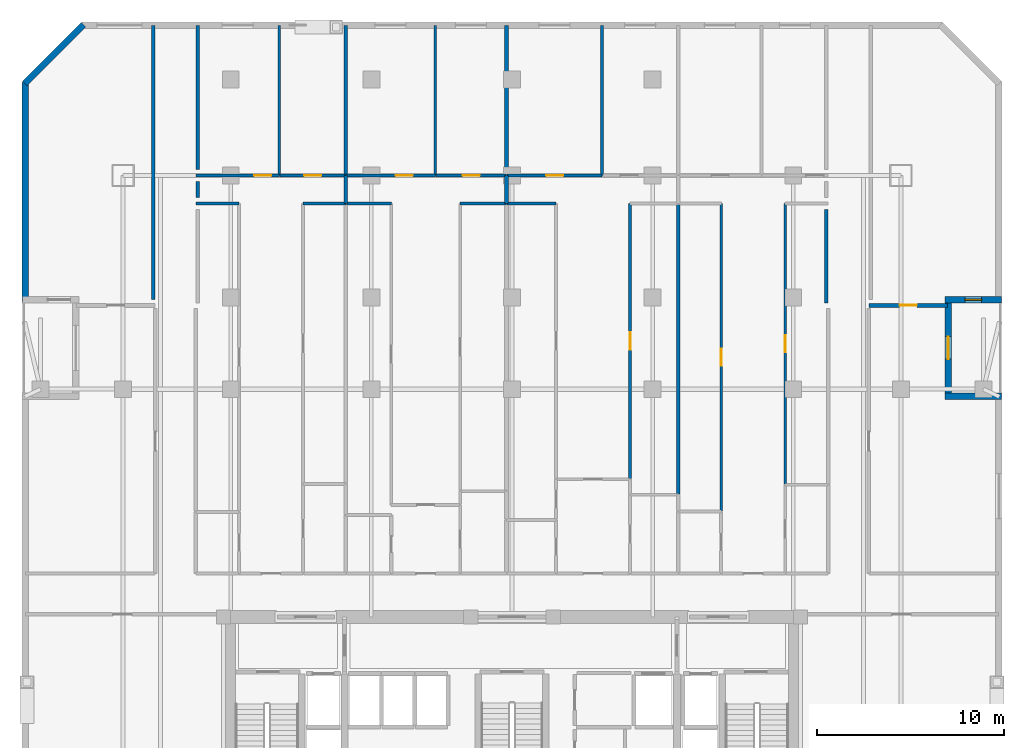
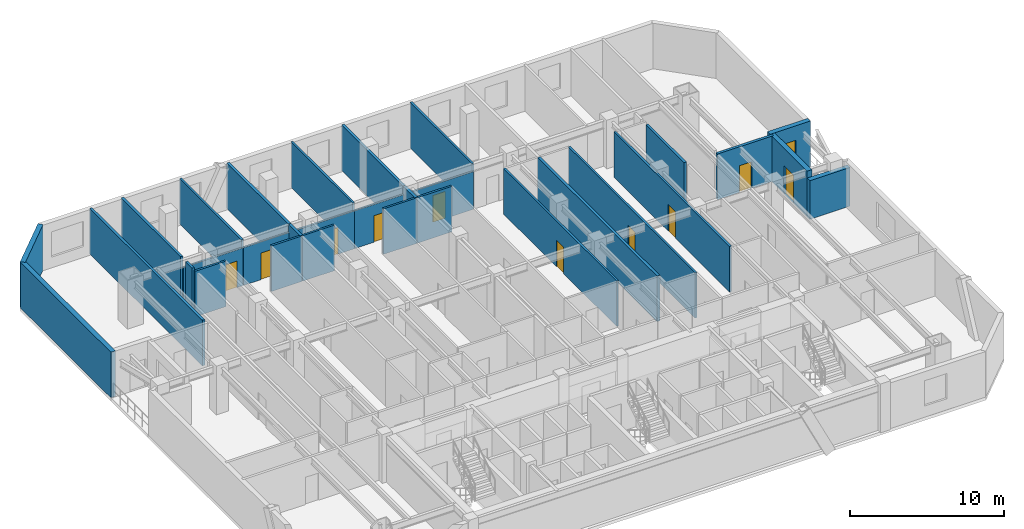
# One storey, part 6 of 9: 31 walls, 10 doors, 1 window, 11 openings.
"""IFC4 building model written with IfcOpenShell, lengths in metres."""

import ifcopenshell
import ifcopenshell.guid

model = None  # the IFC model being written
_history = None  # IfcOwnerHistory: only IFC2X3 demands one
_inside = {}  # id of a spatial element -> (the spatial element, [elements in it])
_under = {}  # id of a project, library or spatial element -> (it, [spatial elements below it])
_declared = {}  # id of a project -> (the project, [libraries it declares])
_typed = {}  # id of a type object -> (the type object, [elements of that type])
_made_of = {}  # id of a material, layer set ... -> (it, [elements and type objects made of it])


def new_model(schema):
    """Start an empty IFC model of exactly this schema.

    Asked for "IFC4X3", IfcOpenShell would pick the latest addendum, in which some entities
    have other attributes; the version numbers below select the first issue.
    IFC2X3 requires an IfcOwnerHistory on every rooted entity: one is made here for all.
    """
    global model, _history
    if schema == "IFC4X3":
        model = ifcopenshell.file(schema_version=(4, 3, 0, 0))
    else:
        model = ifcopenshell.file(schema=schema)
    _inside.clear()
    _under.clear()
    _declared.clear()
    _typed.clear()
    _made_of.clear()
    _history = None
    if model.schema == "IFC2X3":
        org = make("IfcOrganization", Name="unknown")
        user = make(
            "IfcPersonAndOrganization",
            ThePerson=make("IfcPerson", FamilyName="unknown"),
            TheOrganization=org,
        )
        app = make(
            "IfcApplication",
            ApplicationDeveloper=org,
            Version="unknown",
            ApplicationFullName="unknown",
            ApplicationIdentifier="unknown",
        )
        _history = make(
            "IfcOwnerHistory",
            OwningUser=user,
            OwningApplication=app,
            ChangeAction="ADDED",
            CreationDate=0,
        )
    return model


def make(cls, **values):
    """One entity of the class cls with the attributes given. An attribute that is None is left unset."""
    return model.create_entity(
        cls, **{name: value for name, value in values.items() if value is not None}
    )


def rooted(cls, **values):
    """An entity with a GlobalId (a new one), such as an element, a storey or a relation."""
    return make(cls, GlobalId=ifcopenshell.guid.new(), OwnerHistory=_history, **values)


def si_unit(unit_type, name, prefix=None):
    """IfcSIUnit, for example si_unit("LENGTHUNIT", "METRE", prefix="MILLI")."""
    return make("IfcSIUnit", UnitType=unit_type, Prefix=prefix, Name=name)


def assignment(units):
    """IfcUnitAssignment: the units of a project."""
    return None if units is None else make("IfcUnitAssignment", Units=units)


def point(xyz):
    """IfcCartesianPoint."""
    return None if xyz is None else make("IfcCartesianPoint", Coordinates=xyz)


def direction(xyz):
    """IfcDirection."""
    return None if xyz is None else make("IfcDirection", DirectionRatios=xyz)


def frame(location, z_axis=None, x_axis=None):
    """IfcAxis2Placement3D, a coordinate frame: its origin and axes. An axis left out is left unset."""
    return make(
        "IfcAxis2Placement3D",
        Location=point(location),
        Axis=direction(z_axis),
        RefDirection=direction(x_axis),
    )


def frame_2d(location, x_axis=None):
    """IfcAxis2Placement2D, a coordinate frame in the plane: its origin and x axis."""
    return make(
        "IfcAxis2Placement2D", Location=point(location), RefDirection=direction(x_axis)
    )


def origin():
    """The frame at (0, 0, 0) with its axes left unset."""
    return frame((0.0, 0.0, 0.0))


def place(relative_to, where):
    """IfcLocalPlacement: puts the frame where relative to a parent placement (None: the world)."""
    return make(
        "IfcLocalPlacement", PlacementRelTo=relative_to, RelativePlacement=where
    )


def context(
    kind, dimensions, precision=None, world=None, true_north=None, identifier=None
):
    """IfcGeometricRepresentationContext, for example the 3D "Model" context."""
    return make(
        "IfcGeometricRepresentationContext",
        ContextIdentifier=identifier,
        ContextType=kind,
        CoordinateSpaceDimension=dimensions,
        Precision=precision,
        WorldCoordinateSystem=world,
        TrueNorth=true_north,
    )


def subcontext(parent, identifier, kind, view, scale=None):
    """IfcGeometricRepresentationSubContext, for example "Body" below "Model"."""
    return make(
        "IfcGeometricRepresentationSubContext",
        ContextIdentifier=identifier,
        ContextType=kind,
        ParentContext=parent,
        TargetScale=scale,
        TargetView=view,
    )


def project(units=None, contexts=None):
    """IfcProject with its units and contexts."""
    return rooted(
        "IfcProject",
        Name="project",
        RepresentationContexts=contexts,
        UnitsInContext=assignment(units),
    )


def spatial(cls, under=None, at=None, **own):
    """A site, building, storey or space (cls), placed at a placement, below another one or the project."""
    s = rooted(cls, ObjectPlacement=at, **own)
    if under is not None:
        _under.setdefault(under.id(), (under, []))[1].append(s)
    return s


def profile(cls, at=None, kind="AREA", **sizes):
    """A parametric profile (cls). Its sizes go by their IFC names, for example OverallWidth=200.0."""
    return make(cls, ProfileType=kind, Position=at, **sizes)


def rectangle(**sizes):
    """IfcRectangleProfileDef."""
    return profile("IfcRectangleProfileDef", **sizes)


def extrude(swept, where, along, depth):
    """IfcExtrudedAreaSolid: the profile swept, set in the frame where, extruded along a direction by depth."""
    return make(
        "IfcExtrudedAreaSolid",
        SweptArea=swept,
        Position=where,
        ExtrudedDirection=direction(along),
        Depth=depth,
    )


def shape(context_of_items, identifier, shape_type, items):
    """IfcShapeRepresentation: the items that make up one representation, for example the "Body"."""
    return make(
        "IfcShapeRepresentation",
        ContextOfItems=context_of_items,
        RepresentationIdentifier=identifier,
        RepresentationType=shape_type,
        Items=items,
    )


def material(Name=None, Category=None):
    """IfcMaterial."""
    return make("IfcMaterial", Name=Name, Category=Category)


def layer(
    of_material, thickness, ventilated=None, Name=None, Category=None, Priority=None
):
    """IfcMaterialLayer: one layer of a wall or slab, of a material (None: an air gap)."""
    return make(
        "IfcMaterialLayer",
        Material=of_material,
        LayerThickness=thickness,
        IsVentilated=ventilated,
        Name=Name,
        Category=Category,
        Priority=Priority,
    )


def layer_set(layers, Name=None):
    """IfcMaterialLayerSet."""
    return make("IfcMaterialLayerSet", MaterialLayers=layers, LayerSetName=Name)


def made_of(thing, what):
    """Note that an element or type object is made of a material, layer set ...; save() writes the relation."""
    if what is not None:
        _made_of.setdefault(what.id(), (what, []))[1].append(thing)
    return thing


def type_object(cls, material=None, **own):
    """A type object (cls), such as IfcWallType, which elements share."""
    return made_of(rooted(cls, **own), material)


def element(
    cls,
    number,
    at=None,
    inside=None,
    cuts=None,
    type_object=None,
    material=None,
    context=None,
    identifier="Body",
    shape_type=None,
    held_by="IfcProductDefinitionShape",
    body=None,
    shapes=None,
    **own,
):
    """One element of the class cls, such as IfcWall. Its Tag is "e" and its number.

    at: its placement. inside: the storey or other place that contains it. cuts: it is an
    opening in that element (IfcRelVoidsElement). A single representation is given by context,
    identifier, shape_type and body (its items); several are given by shapes. held_by: the class
    of the entity that holds the representations. save() writes the other relations.
    """
    e = rooted(cls, Tag="e%d" % number, ObjectPlacement=at, **own)
    if body is not None:
        shapes = [shape(context, identifier, shape_type, body)]
    if shapes is not None:
        e.Representation = make(held_by, Representations=shapes)
    if inside is not None:
        _inside.setdefault(inside.id(), (inside, []))[1].append(e)
    if cuts is not None:
        rooted(
            "IfcRelVoidsElement", RelatingBuildingElement=cuts, RelatedOpeningElement=e
        )
    if type_object is not None:
        _typed.setdefault(type_object.id(), (type_object, []))[1].append(e)
    return made_of(e, material)


def fill(opening, filler):
    """IfcRelFillsElement: the door or window that sits in an opening."""
    return rooted(
        "IfcRelFillsElement",
        RelatingOpeningElement=opening,
        RelatedBuildingElement=filler,
    )


def aggregate(whole, parts):
    """IfcRelAggregates: a whole, such as a stair, and the parts it consists of."""
    return rooted("IfcRelAggregates", RelatingObject=whole, RelatedObjects=parts)


def save(model, path):
    """Write the relations noted so far, then the file.

    IfcRelAggregates (storeys below a building ...), IfcRelContainedInSpatialStructure (elements
    in a storey), IfcRelDefinesByType, IfcRelAssociatesMaterial and IfcRelDeclares: one each for
    every whole, place, type object, material and project.
    """
    for whole, parts in _under.values():
        aggregate(whole, parts)
    for where, things in _inside.values():
        rooted(
            "IfcRelContainedInSpatialStructure",
            RelatedElements=things,
            RelatingStructure=where,
        )
    for kind, things in _typed.values():
        rooted("IfcRelDefinesByType", RelatedObjects=things, RelatingType=kind)
    for what, things in _made_of.values():
        rooted("IfcRelAssociatesMaterial", RelatedObjects=things, RelatingMaterial=what)
    for by, libraries in _declared.values():
        rooted("IfcRelDeclares", RelatingContext=by, RelatedDefinitions=libraries)
    model.write(path)


model = new_model("IFC4")

# Units and contexts
model_context = context("Model", 3, precision=1e-05, world=origin(), true_north=direction((0.0, 1.0)))
body_context = subcontext(model_context, "Body", "Model", "MODEL_VIEW")
ifc_project = project(units=[si_unit("LENGTHUNIT", "METRE"), si_unit("AREAUNIT", "SQUARE_METRE"), si_unit("VOLUMEUNIT", "CUBIC_METRE"), si_unit("PLANEANGLEUNIT", "RADIAN"), si_unit("MASSUNIT", "GRAM", prefix="KILO")], contexts=[model_context])

# Site, building, storey
site_placement = place(None, origin())
site = spatial("IfcSite", under=ifc_project, at=site_placement, CompositionType="ELEMENT")
building_placement = place(site_placement, origin())
building = spatial("IfcBuilding", under=site, at=building_placement, Name="Ventersveld Concourse Tower", CompositionType="ELEMENT")
storey_placement = place(building_placement, frame((0.0, 0.0, 100.300048828125)))
storey = spatial("IfcBuildingStorey", under=building, at=storey_placement, Name="L24", CompositionType="ELEMENT", Elevation=100.300048828125)

# Walls
ifc_material_1 = material(Name="Fire-rated autoclaved aerated masonry blockwork", Category="masonry")
ifc_layer_1 = layer(ifc_material_1, 0.179931640625)
ifc_layer_set_1 = layer_set([ifc_layer_1], Name="Fire-rated autoclaved aerated masonry blockwork")
wall_type_1 = type_object("IfcWallType", Name="WL-CORR-180", PredefinedType="PARTITIONING", material=ifc_layer_set_1)
wall_1_placement = place(storey_placement, frame((9.6201171875, 42.989990234375, 0.0), z_axis=(0.0, 0.0, 1.0), x_axis=(0.0, -1.0, 0.0)))
element("IfcWall", 1, at=wall_1_placement, inside=storey, type_object=wall_type_1, Name="L24 Room Enclosure Wall SP-L24-NWLNG2", PredefinedType="PARTITIONING", context=body_context, shape_type="SweptSolid", body=[
    extrude(rectangle(XDim=14.594970703125, YDim=0.179931640625, at=frame_2d((7.29736328125, 0.0))), origin(), (0.0, 0.0, 1.0), 3.599853515625),
])
wall_2_placement = place(storey_placement, frame((11.97998046875, 33.824951171875, 0.0), z_axis=(0.0, 0.0, 1.0), x_axis=(0.0, 1.0, 0.0)))
element("IfcWall", 2, at=wall_2_placement, inside=storey, type_object=wall_type_1, Name="L24 Room Enclosure Wall SP-L24-24N1-LIV", PredefinedType="PARTITIONING", context=body_context, shape_type="SweptSolid", body=[
    extrude(rectangle(XDim=0.85009765625, YDim=0.179931640625, at=frame_2d((0.425048828125, 0.0))), origin(), (0.0, 0.0, 1.0), 3.599853515625),
])
wall_3_placement = place(storey_placement, frame((11.97998046875, 35.324951171875, 0.0), z_axis=(0.0, 0.0, 1.0), x_axis=(0.0, 1.0, 0.0)))
element("IfcWall", 3, at=wall_3_placement, inside=storey, type_object=wall_type_1, Name="L24 Room Enclosure Wall SP-L24-24N1-BR1", PredefinedType="PARTITIONING", context=body_context, shape_type="SweptSolid", body=[
    extrude(rectangle(XDim=7.6650390625, YDim=0.179931640625, at=frame_2d((3.83251953125, 0.0))), origin(), (0.0, 0.0, 1.0), 3.599853515625),
])
wall_4_placement = place(storey_placement, frame((45.52001953125, 33.175048828125, 0.0), z_axis=(0.0, 0.0, 1.0), x_axis=(0.0, -1.0, 0.0)))
element("IfcWall", 4, at=wall_4_placement, inside=storey, type_object=wall_type_1, Name="L24 Room Enclosure Wall SP-L24-24N4-DENR", PredefinedType="PARTITIONING", context=body_context, shape_type="SweptSolid", body=[
    extrude(rectangle(XDim=4.965087890625, YDim=0.179931640625, at=frame_2d((2.482421875, 0.0))), origin(), (0.0, 0.0, 1.0), 3.599853515625),
])

# Wall, opening, door
ifc_layer_2 = layer(ifc_material_1, 0.199951171875)
ifc_layer_set_2 = layer_set([ifc_layer_2], Name="Fire-rated autoclaved aerated masonry blockwork")
wall_type_2 = type_object("IfcWallType", Name="WL-DEMISE-200", PredefinedType="PARTITIONING", material=ifc_layer_set_2)
wall_5_placement = place(storey_placement, frame((47.784912109375, 28.070068359375, 0.0), z_axis=(0.0, 0.0, 1.0), x_axis=(1.0, 0.0, 0.0)))
wall_5 = element("IfcWall", 5, at=wall_5_placement, inside=storey, type_object=wall_type_2, Name="L24 Interior Partition SP-L24-NELNG1-SP-L24-NELNG2", PredefinedType="PARTITIONING", context=body_context, shape_type="SweptSolid", body=[
    extrude(rectangle(XDim=4.205078125, YDim=0.199951171875, at=frame_2d((2.1025390625, 0.0))), origin(), (0.0, 0.0, 1.0), 3.599853515625),
])
opening_1_placement = place(wall_5_placement, frame((1.642578125, 0.0, 0.0)))
opening_1 = element("IfcOpeningElement", 6, at=opening_1_placement, cuts=wall_5, Name="Opening ID1", PredefinedType="OPENING", context=body_context, shape_type="SweptSolid", body=[
    extrude(rectangle(XDim=0.919921875, YDim=2.10009765625, at=frame_2d((0.4599609375, 1.050048828125))), frame((0.0, 0.10986328125, 0.0), z_axis=(0.0, -1.0, 0.0), x_axis=(1.0, 0.0, 0.0)), (0.0, 0.0, 1.0), 0.219970703125),
])
ifc_material_2 = material(Name="Solid-core hardwood veneer timber", Category="wood")
door_type_1 = type_object("IfcDoorType", Name="DR-ROOM-092", OperationType="NOTDEFINED", PredefinedType="DOOR", material=ifc_material_2)
door_1_placement = place(opening_1_placement, origin())
door_1 = element("IfcDoor", 7, at=door_1_placement, inside=storey, type_object=door_type_1, Name="L24 Interior Door SP-L24-NELNG1 to SP-L24-NELNG2 (D-L24-1181)", OperationType="SINGLE_SWING_LEFT", OverallHeight=2.10009765625, OverallWidth=0.919921875, PredefinedType="DOOR", context=body_context, shape_type="SweptSolid", body=[
    extrude(rectangle(XDim=0.919921875, YDim=2.10009765625, at=frame_2d((0.4599609375, 1.050048828125))), frame((0.0, 0.02490234375, 0.0), z_axis=(0.0, -1.0, 0.0), x_axis=(1.0, 0.0, 0.0)), (0.0, 0.0, 1.0), 0.050048828125),
])
fill(opening_1, door_1)

# Walls
wall_6_placement = place(storey_placement, frame((19.879150390625, 33.4951171875, 0.0), z_axis=(0.0, 0.0, 1.0), x_axis=(0.0, 1.0, 0.0)))
element("IfcWall", 8, at=wall_6_placement, inside=storey, type_object=wall_type_2, Name="L24 Interior Partition SP-L24-24N1-LIV-SP-L24-24N2-LIV", PredefinedType="PARTITIONING", context=body_context, shape_type="SweptSolid", body=[
    extrude(rectangle(XDim=1.509765625, YDim=0.199951171875, at=frame_2d((0.7548828125, 0.0))), origin(), (0.0, 0.0, 1.0), 3.599853515625),
])
wall_7_placement = place(storey_placement, frame((19.879150390625, 35.034912109375, 0.0), z_axis=(0.0, 0.0, 1.0), x_axis=(0.0, 1.0, 0.0)))
element("IfcWall", 9, at=wall_7_placement, inside=storey, type_object=wall_type_2, Name="L24 Interior Partition SP-L24-24N1-BR2-SP-L24-24N2-BR1", PredefinedType="PARTITIONING", context=body_context, shape_type="SweptSolid", body=[
    extrude(rectangle(XDim=7.955078125, YDim=0.199951171875, at=frame_2d((3.9775390625, 0.0))), origin(), (0.0, 0.0, 1.0), 3.599853515625),
])
wall_8_placement = place(storey_placement, frame((28.4560546875, 33.4951171875, 0.0), z_axis=(0.0, 0.0, 1.0), x_axis=(0.0, 1.0, 0.0)))
element("IfcWall", 10, at=wall_8_placement, inside=storey, type_object=wall_type_2, Name="L24 Interior Partition SP-L24-24N2-LIV-SP-L24-24N3-LIV", PredefinedType="PARTITIONING", context=body_context, shape_type="SweptSolid", body=[
    extrude(rectangle(XDim=1.509765625, YDim=0.199951171875, at=frame_2d((0.7548828125, 0.0))), origin(), (0.0, 0.0, 1.0), 3.599853515625),
])
wall_9_placement = place(storey_placement, frame((28.4560546875, 35.034912109375, 0.0), z_axis=(0.0, 0.0, 1.0), x_axis=(0.0, 1.0, 0.0)))
element("IfcWall", 11, at=wall_9_placement, inside=storey, type_object=wall_type_2, Name="L24 Interior Partition SP-L24-24N2-BR2-SP-L24-24N3-BR1", PredefinedType="PARTITIONING", context=body_context, shape_type="SweptSolid", body=[
    extrude(rectangle(XDim=7.955078125, YDim=0.199951171875, at=frame_2d((3.9775390625, 0.0))), origin(), (0.0, 0.0, 1.0), 3.599853515625),
])
wall_10_placement = place(storey_placement, frame((37.620849609375, 18.00439453125, 0.0), z_axis=(0.0, 0.0, 1.0), x_axis=(0.0, 1.0, 0.0)))
element("IfcWall", 12, at=wall_10_placement, inside=storey, type_object=wall_type_2, Name="L24 Interior Partition SP-L24-24N3-DENR-SP-L24-24N4-DENL", PredefinedType="PARTITIONING", context=body_context, shape_type="SweptSolid", body=[
    extrude(rectangle(XDim=15.460693359375, YDim=0.199951171875, at=frame_2d((7.73046875, 0.0))), origin(), (0.0, 0.0, 1.0), 3.599853515625),
])
ifc_material_3 = material(Name="Autoclaved aerated masonry blockwork", Category="masonry")
ifc_layer_3 = layer(ifc_material_3, 0.14990234375)
ifc_layer_set_3 = layer_set([ifc_layer_3], Name="Autoclaved aerated masonry blockwork")
wall_type_3 = type_object("IfcWallType", Name="WL-INT-150", PredefinedType="PARTITIONING", material=ifc_layer_set_3)
wall_11_placement = place(storey_placement, frame((11.885009765625, 33.5, 0.0), z_axis=(0.0, 0.0, 1.0), x_axis=(1.0, 0.0, 0.0)))
element("IfcWall", 13, at=wall_11_placement, inside=storey, type_object=wall_type_3, Name="L24 Interior Partition SP-L24-24N1-LIV-SP-L24-24N1-OFFL0", PredefinedType="PARTITIONING", context=body_context, shape_type="SweptSolid", body=[
    extrude(rectangle(XDim=2.314697265625, YDim=0.14990234375, at=frame_2d((1.1572265625, 0.0))), origin(), (0.0, 0.0, 1.0), 3.599853515625),
])
wall_12_placement = place(storey_placement, frame((17.601806640625, 33.5, 0.0), z_axis=(0.0, 0.0, 1.0), x_axis=(1.0, 0.0, 0.0)))
element("IfcWall", 14, at=wall_12_placement, inside=storey, type_object=wall_type_3, Name="L24 Interior Partition SP-L24-24N1-LIV-SP-L24-24N1-DENR", PredefinedType="PARTITIONING", context=body_context, shape_type="SweptSolid", body=[
    extrude(rectangle(XDim=2.282470703125, YDim=0.14990234375, at=frame_2d((1.14111328125, 0.0))), origin(), (0.0, 0.0, 1.0), 3.599853515625),
])

# Wall, opening, door
wall_13_placement = place(storey_placement, frame((11.885009765625, 35.0, 0.0), z_axis=(0.0, 0.0, 1.0), x_axis=(1.0, 0.0, 0.0)))
wall_13 = element("IfcWall", 15, at=wall_13_placement, inside=storey, type_object=wall_type_3, Name="L24 Interior Partition SP-L24-24N1-LIV-SP-L24-24N1-BR1", PredefinedType="PARTITIONING", context=body_context, shape_type="SweptSolid", body=[
    extrude(rectangle(XDim=4.453369140625, YDim=0.14990234375, at=frame_2d((2.2265625, 0.0))), origin(), (0.0, 0.0, 1.0), 2.982666015625),
])
opening_2_placement = place(wall_13_placement, frame((3.102783203125, 0.0, 0.0)))
opening_2 = element("IfcOpeningElement", 16, at=opening_2_placement, cuts=wall_13, Name="Opening ID1", PredefinedType="OPENING", context=body_context, shape_type="SweptSolid", body=[
    extrude(rectangle(XDim=0.919921875, YDim=2.10009765625, at=frame_2d((0.4599609375, 1.050048828125))), frame((0.0, 0.0849609375, 0.0), z_axis=(0.0, -1.0, 0.0), x_axis=(1.0, 0.0, 0.0)), (0.0, 0.0, 1.0), 0.169921875),
])
door_2_placement = place(opening_2_placement, origin())
door_2 = element("IfcDoor", 17, at=door_2_placement, inside=storey, type_object=door_type_1, Name="L24 Interior Door SP-L24-24N1-LIV to SP-L24-24N1-BR1 (D-L24-1186)", OperationType="SINGLE_SWING_RIGHT", OverallHeight=2.10009765625, OverallWidth=0.919921875, PredefinedType="DOOR", context=body_context, shape_type="SweptSolid", body=[
    extrude(rectangle(XDim=0.919921875, YDim=2.10009765625, at=frame_2d((0.4599609375, 1.050048828125))), frame((0.0, 0.02490234375, 0.0), z_axis=(0.0, -1.0, 0.0), x_axis=(1.0, 0.0, 0.0)), (0.0, 0.0, 1.0), 0.050048828125),
])
fill(opening_2, door_2)

wall_14_placement = place(storey_placement, frame((16.368408203125, 35.0, 0.0), z_axis=(0.0, 0.0, 1.0), x_axis=(1.0, 0.0, 0.0)))
wall_14 = element("IfcWall", 18, at=wall_14_placement, inside=storey, type_object=wall_type_3, Name="L24 Interior Partition SP-L24-24N1-LIV-SP-L24-24N1-BR2", PredefinedType="PARTITIONING", context=body_context, shape_type="SweptSolid", body=[
    extrude(rectangle(XDim=3.515869140625, YDim=0.14990234375, at=frame_2d((1.7578125, 0.0))), origin(), (0.0, 0.0, 1.0), 2.982666015625),
])
opening_3_placement = place(wall_14_placement, frame((1.2978515625, 0.0, 0.0)))
opening_3 = element("IfcOpeningElement", 19, at=opening_3_placement, cuts=wall_14, Name="Opening ID1", PredefinedType="OPENING", context=body_context, shape_type="SweptSolid", body=[
    extrude(rectangle(XDim=0.919921875, YDim=2.10009765625, at=frame_2d((0.4599609375, 1.050048828125))), frame((0.0, 0.0849609375, 0.0), z_axis=(0.0, -1.0, 0.0), x_axis=(1.0, 0.0, 0.0)), (0.0, 0.0, 1.0), 0.169921875),
])
door_3_placement = place(opening_3_placement, origin())
door_3 = element("IfcDoor", 20, at=door_3_placement, inside=storey, type_object=door_type_1, Name="L24 Interior Door SP-L24-24N1-LIV to SP-L24-24N1-BR2 (D-L24-1187)", OperationType="SINGLE_SWING_LEFT", OverallHeight=2.10009765625, OverallWidth=0.919921875, PredefinedType="DOOR", context=body_context, shape_type="SweptSolid", body=[
    extrude(rectangle(XDim=0.919921875, YDim=2.10009765625, at=frame_2d((0.4599609375, 1.050048828125))), frame((0.0, 0.02490234375, 0.0), z_axis=(0.0, -1.0, 0.0), x_axis=(1.0, 0.0, 0.0)), (0.0, 0.0, 1.0), 0.050048828125),
])
fill(opening_3, door_3)

# Walls
wall_15_placement = place(storey_placement, frame((16.33349609375, 34.9951171875, 0.0), z_axis=(0.0, 0.0, 1.0), x_axis=(0.0, 1.0, 0.0)))
element("IfcWall", 21, at=wall_15_placement, inside=storey, type_object=wall_type_3, Name="L24 Interior Partition SP-L24-24N1-BR1-SP-L24-24N1-BR2", PredefinedType="PARTITIONING", context=body_context, shape_type="SweptSolid", body=[
    extrude(rectangle(XDim=7.994873046875, YDim=0.14990234375, at=frame_2d((3.99755859375, 0.0))), origin(), (0.0, 0.0, 1.0), 3.599853515625),
])
wall_16_placement = place(storey_placement, frame((19.914306640625, 33.5, 0.0), z_axis=(0.0, 0.0, 1.0), x_axis=(1.0, 0.0, 0.0)))
element("IfcWall", 22, at=wall_16_placement, inside=storey, type_object=wall_type_3, Name="L24 Interior Partition SP-L24-24N2-LIV-SP-L24-24N2-MEDL0", PredefinedType="PARTITIONING", context=body_context, shape_type="SweptSolid", body=[
    extrude(rectangle(XDim=2.399658203125, YDim=0.14990234375, at=frame_2d((1.19970703125, 0.0))), origin(), (0.0, 0.0, 1.0), 3.599853515625),
])
wall_17_placement = place(storey_placement, frame((25.986572265625, 33.5, 0.0), z_axis=(0.0, 0.0, 1.0), x_axis=(1.0, 0.0, 0.0)))
element("IfcWall", 23, at=wall_17_placement, inside=storey, type_object=wall_type_3, Name="L24 Interior Partition SP-L24-24N2-LIV-SP-L24-24N2-DENR", PredefinedType="PARTITIONING", context=body_context, shape_type="SweptSolid", body=[
    extrude(rectangle(XDim=2.474609375, YDim=0.14990234375, at=frame_2d((1.2373046875, 0.0))), origin(), (0.0, 0.0, 1.0), 3.599853515625),
])

# Wall, opening, door
wall_18_placement = place(storey_placement, frame((19.914306640625, 35.0, 0.0), z_axis=(0.0, 0.0, 1.0), x_axis=(1.0, 0.0, 0.0)))
wall_18 = element("IfcWall", 24, at=wall_18_placement, inside=storey, type_object=wall_type_3, Name="L24 Interior Partition SP-L24-24N2-LIV-SP-L24-24N2-BR1", PredefinedType="PARTITIONING", context=body_context, shape_type="SweptSolid", body=[
    extrude(rectangle(XDim=4.74169921875, YDim=0.14990234375, at=frame_2d((2.370849609375, 0.0))), origin(), (0.0, 0.0, 1.0), 2.982666015625),
])
opening_4_placement = place(wall_18_placement, frame((2.622314453125, 0.0, 0.0)))
opening_4 = element("IfcOpeningElement", 25, at=opening_4_placement, cuts=wall_18, Name="Opening ID1", PredefinedType="OPENING", context=body_context, shape_type="SweptSolid", body=[
    extrude(rectangle(XDim=0.919921875, YDim=2.10009765625, at=frame_2d((0.4599609375, 1.050048828125))), frame((0.0, 0.0849609375, 0.0), z_axis=(0.0, -1.0, 0.0), x_axis=(1.0, 0.0, 0.0)), (0.0, 0.0, 1.0), 0.169921875),
])
door_4_placement = place(opening_4_placement, origin())
door_4 = element("IfcDoor", 26, at=door_4_placement, inside=storey, type_object=door_type_1, Name="L24 Interior Door SP-L24-24N2-LIV to SP-L24-24N2-BR1 (D-L24-1193)", OperationType="SINGLE_SWING_LEFT", OverallHeight=2.10009765625, OverallWidth=0.919921875, PredefinedType="DOOR", context=body_context, shape_type="SweptSolid", body=[
    extrude(rectangle(XDim=0.919921875, YDim=2.10009765625, at=frame_2d((0.4599609375, 1.050048828125))), frame((0.0, 0.02490234375, 0.0), z_axis=(0.0, -1.0, 0.0), x_axis=(1.0, 0.0, 0.0)), (0.0, 0.0, 1.0), 0.050048828125),
])
fill(opening_4, door_4)

wall_19_placement = place(storey_placement, frame((24.68603515625, 35.0, 0.0), z_axis=(0.0, 0.0, 1.0), x_axis=(1.0, 0.0, 0.0)))
wall_19 = element("IfcWall", 27, at=wall_19_placement, inside=storey, type_object=wall_type_3, Name="L24 Interior Partition SP-L24-24N2-LIV-SP-L24-24N2-BR2", PredefinedType="PARTITIONING", context=body_context, shape_type="SweptSolid", body=[
    extrude(rectangle(XDim=3.775146484375, YDim=0.14990234375, at=frame_2d((1.8876953125, 0.0))), origin(), (0.0, 0.0, 1.0), 2.982666015625),
])
opening_5_placement = place(wall_19_placement, frame((1.427490234375, 0.0, 0.0)))
opening_5 = element("IfcOpeningElement", 28, at=opening_5_placement, cuts=wall_19, Name="Opening ID1", PredefinedType="OPENING", context=body_context, shape_type="SweptSolid", body=[
    extrude(rectangle(XDim=0.919921875, YDim=2.10009765625, at=frame_2d((0.4599609375, 1.050048828125))), frame((0.0, 0.0849609375, 0.0), z_axis=(0.0, -1.0, 0.0), x_axis=(1.0, 0.0, 0.0)), (0.0, 0.0, 1.0), 0.169921875),
])
door_5_placement = place(opening_5_placement, origin())
door_5 = element("IfcDoor", 29, at=door_5_placement, inside=storey, type_object=door_type_1, Name="L24 Interior Door SP-L24-24N2-LIV to SP-L24-24N2-BR2 (D-L24-1194)", OperationType="SINGLE_SWING_RIGHT", OverallHeight=2.10009765625, OverallWidth=0.919921875, PredefinedType="DOOR", context=body_context, shape_type="SweptSolid", body=[
    extrude(rectangle(XDim=0.919921875, YDim=2.10009765625, at=frame_2d((0.4599609375, 1.050048828125))), frame((0.0, 0.02490234375, 0.0), z_axis=(0.0, -1.0, 0.0), x_axis=(1.0, 0.0, 0.0)), (0.0, 0.0, 1.0), 0.050048828125),
])
fill(opening_5, door_5)

# Walls
wall_20_placement = place(storey_placement, frame((24.65087890625, 34.9951171875, 0.0), z_axis=(0.0, 0.0, 1.0), x_axis=(0.0, 1.0, 0.0)))
element("IfcWall", 30, at=wall_20_placement, inside=storey, type_object=wall_type_3, Name="L24 Interior Partition SP-L24-24N2-BR1-SP-L24-24N2-BR2", PredefinedType="PARTITIONING", context=body_context, shape_type="SweptSolid", body=[
    extrude(rectangle(XDim=7.994873046875, YDim=0.14990234375, at=frame_2d((3.99755859375, 0.0))), origin(), (0.0, 0.0, 1.0), 3.599853515625),
])
wall_21_placement = place(storey_placement, frame((28.4912109375, 33.5, 0.0), z_axis=(0.0, 0.0, 1.0), x_axis=(1.0, 0.0, 0.0)))
element("IfcWall", 31, at=wall_21_placement, inside=storey, type_object=wall_type_3, Name="L24 Interior Partition SP-L24-24N3-LIV-SP-L24-24N3-DENL", PredefinedType="PARTITIONING", context=body_context, shape_type="SweptSolid", body=[
    extrude(rectangle(XDim=2.613037109375, YDim=0.14990234375, at=frame_2d((1.306640625, 0.0))), origin(), (0.0, 0.0, 1.0), 3.599853515625),
])

# Wall, opening, door
wall_22_placement = place(storey_placement, frame((35.05224609375, 18.83544921875, 0.0), z_axis=(0.0, 0.0, 1.0), x_axis=(0.0, 1.0, 0.0)))
wall_22 = element("IfcWall", 32, at=wall_22_placement, inside=storey, type_object=wall_type_3, Name="L24 Interior Partition SP-L24-24N3-LIV-SP-L24-24N3-DENR", PredefinedType="PARTITIONING", context=body_context, shape_type="SweptSolid", body=[
    extrude(rectangle(XDim=14.66943359375, YDim=0.14990234375, at=frame_2d((7.334716796875, 0.0))), origin(), (0.0, 0.0, 1.0), 3.599853515625),
])
opening_6_placement = place(wall_22_placement, frame((6.874755859375, 0.0, 0.0)))
opening_6 = element("IfcOpeningElement", 33, at=opening_6_placement, cuts=wall_22, Name="Opening ID1", PredefinedType="OPENING", context=body_context, shape_type="SweptSolid", body=[
    extrude(rectangle(XDim=0.919921875, YDim=2.10009765625, at=frame_2d((0.4599609375, 1.050048828125))), frame((0.0, 0.0849609375, 0.0), z_axis=(0.0, -1.0, 0.0), x_axis=(1.0, 0.0, 0.0)), (0.0, 0.0, 1.0), 0.169921875),
])
door_6_placement = place(opening_6_placement, origin())
door_6 = element("IfcDoor", 34, at=door_6_placement, inside=storey, type_object=door_type_1, Name="L24 Interior Door SP-L24-24N3-LIV to SP-L24-24N3-DENR (D-L24-1200)", OperationType="SINGLE_SWING_RIGHT", OverallHeight=2.10009765625, OverallWidth=0.919921875, PredefinedType="DOOR", context=body_context, shape_type="SweptSolid", body=[
    extrude(rectangle(XDim=0.919921875, YDim=2.10009765625, at=frame_2d((0.4599609375, 1.050048828125))), frame((0.0, 0.02490234375, 0.0), z_axis=(0.0, -1.0, 0.0), x_axis=(1.0, 0.0, 0.0)), (0.0, 0.0, 1.0), 0.050048828125),
])
fill(opening_6, door_6)

wall_23_placement = place(storey_placement, frame((28.4912109375, 35.0, 0.0), z_axis=(0.0, 0.0, 1.0), x_axis=(1.0, 0.0, 0.0)))
wall_23 = element("IfcWall", 35, at=wall_23_placement, inside=storey, type_object=wall_type_3, Name="L24 Interior Partition SP-L24-24N3-LIV-SP-L24-24N3-BR1", PredefinedType="PARTITIONING", context=body_context, shape_type="SweptSolid", body=[
    extrude(rectangle(XDim=5.070068359375, YDim=0.14990234375, at=frame_2d((2.53515625, 0.0))), origin(), (0.0, 0.0, 1.0), 2.982666015625),
])
opening_7_placement = place(wall_23_placement, frame((2.0751953125, 0.0, 0.0)))
opening_7 = element("IfcOpeningElement", 36, at=opening_7_placement, cuts=wall_23, Name="Opening ID1", PredefinedType="OPENING", context=body_context, shape_type="SweptSolid", body=[
    extrude(rectangle(XDim=0.919921875, YDim=2.10009765625, at=frame_2d((0.4599609375, 1.050048828125))), frame((0.0, 0.0849609375, 0.0), z_axis=(0.0, -1.0, 0.0), x_axis=(1.0, 0.0, 0.0)), (0.0, 0.0, 1.0), 0.169921875),
])
door_7_placement = place(opening_7_placement, origin())
door_7 = element("IfcDoor", 37, at=door_7_placement, inside=storey, type_object=door_type_1, Name="L24 Interior Door SP-L24-24N3-LIV to SP-L24-24N3-BR1 (D-L24-1201)", OperationType="SINGLE_SWING_LEFT", OverallHeight=2.10009765625, OverallWidth=0.919921875, PredefinedType="DOOR", context=body_context, shape_type="SweptSolid", body=[
    extrude(rectangle(XDim=0.919921875, YDim=2.10009765625, at=frame_2d((0.4599609375, 1.050048828125))), frame((0.0, 0.02490234375, 0.0), z_axis=(0.0, -1.0, 0.0), x_axis=(1.0, 0.0, 0.0)), (0.0, 0.0, 1.0), 0.050048828125),
])
fill(opening_7, door_7)

# Wall
wall_24_placement = place(storey_placement, frame((33.556396484375, 34.9951171875, 0.0), z_axis=(0.0, 0.0, 1.0), x_axis=(0.0, 1.0, 0.0)))
element("IfcWall", 38, at=wall_24_placement, inside=storey, type_object=wall_type_3, Name="L24 Interior Partition SP-L24-24N3-BR1-SP-L24-24N3-BR2", PredefinedType="PARTITIONING", context=body_context, shape_type="SweptSolid", body=[
    extrude(rectangle(XDim=7.994873046875, YDim=0.14990234375, at=frame_2d((3.99755859375, 0.0))), origin(), (0.0, 0.0, 1.0), 3.599853515625),
])

# Wall, opening, door
wall_25_placement = place(storey_placement, frame((39.9091796875, 17.115234375, 0.0), z_axis=(0.0, 0.0, 1.0), x_axis=(0.0, 1.0, 0.0)))
wall_25 = element("IfcWall", 39, at=wall_25_placement, inside=storey, type_object=wall_type_3, Name="L24 Interior Partition SP-L24-24N4-LIV-SP-L24-24N4-DENL", PredefinedType="PARTITIONING", context=body_context, shape_type="SweptSolid", body=[
    extrude(rectangle(XDim=16.3896484375, YDim=0.14990234375, at=frame_2d((8.19482421875, 0.0))), origin(), (0.0, 0.0, 1.0), 3.599853515625),
])
opening_8_placement = place(wall_25_placement, frame((7.73486328125, 0.0, 0.0)))
opening_8 = element("IfcOpeningElement", 40, at=opening_8_placement, cuts=wall_25, Name="Opening ID1", PredefinedType="OPENING", context=body_context, shape_type="SweptSolid", body=[
    extrude(rectangle(XDim=0.919921875, YDim=2.10009765625, at=frame_2d((0.4599609375, 1.050048828125))), frame((0.0, 0.0849609375, 0.0), z_axis=(0.0, -1.0, 0.0), x_axis=(1.0, 0.0, 0.0)), (0.0, 0.0, 1.0), 0.169921875),
])
door_8_placement = place(opening_8_placement, origin())
door_8 = element("IfcDoor", 41, at=door_8_placement, inside=storey, type_object=door_type_1, Name="L24 Interior Door SP-L24-24N4-LIV to SP-L24-24N4-DENL (D-L24-1204)", OperationType="SINGLE_SWING_RIGHT", OverallHeight=2.10009765625, OverallWidth=0.919921875, PredefinedType="DOOR", context=body_context, shape_type="SweptSolid", body=[
    extrude(rectangle(XDim=0.919921875, YDim=2.10009765625, at=frame_2d((0.4599609375, 1.050048828125))), frame((0.0, 0.02490234375, 0.0), z_axis=(0.0, -1.0, 0.0), x_axis=(1.0, 0.0, 0.0)), (0.0, 0.0, 1.0), 0.050048828125),
])
fill(opening_8, door_8)

wall_26_placement = place(storey_placement, frame((43.321533203125, 18.5380859375, 0.0), z_axis=(0.0, 0.0, 1.0), x_axis=(0.0, 1.0, 0.0)))
wall_26 = element("IfcWall", 42, at=wall_26_placement, inside=storey, type_object=wall_type_3, Name="L24 Interior Partition SP-L24-24N4-LIV-SP-L24-24N4-DENR", PredefinedType="PARTITIONING", context=body_context, shape_type="SweptSolid", body=[
    extrude(rectangle(XDim=14.966796875, YDim=0.14990234375, at=frame_2d((7.4833984375, 0.0))), origin(), (0.0, 0.0, 1.0), 3.599853515625),
])
opening_9_placement = place(wall_26_placement, frame((7.0234375, 0.0, 0.0)))
opening_9 = element("IfcOpeningElement", 43, at=opening_9_placement, cuts=wall_26, Name="Opening ID1", PredefinedType="OPENING", context=body_context, shape_type="SweptSolid", body=[
    extrude(rectangle(XDim=0.919921875, YDim=2.10009765625, at=frame_2d((0.4599609375, 1.050048828125))), frame((0.0, 0.0849609375, 0.0), z_axis=(0.0, -1.0, 0.0), x_axis=(1.0, 0.0, 0.0)), (0.0, 0.0, 1.0), 0.169921875),
])
door_9_placement = place(opening_9_placement, origin())
door_9 = element("IfcDoor", 44, at=door_9_placement, inside=storey, type_object=door_type_1, Name="L24 Interior Door SP-L24-24N4-LIV to SP-L24-24N4-DENR (D-L24-1206)", OperationType="SINGLE_SWING_RIGHT", OverallHeight=2.10009765625, OverallWidth=0.919921875, PredefinedType="DOOR", context=body_context, shape_type="SweptSolid", body=[
    extrude(rectangle(XDim=0.919921875, YDim=2.10009765625, at=frame_2d((0.4599609375, 1.050048828125))), frame((0.0, 0.02490234375, 0.0), z_axis=(0.0, -1.0, 0.0), x_axis=(1.0, 0.0, 0.0)), (0.0, 0.0, 1.0), 0.050048828125),
])
fill(opening_9, door_9)

# Wall
ifc_material_4 = material(Name="Precast concrete C45/55", Category="concrete")
ifc_layer_4 = layer(ifc_material_4, 0.35009765625)
ifc_layer_set_4 = layer_set([ifc_layer_4], Name="Precast concrete C45/55")
wall_type_4 = type_object("IfcWallType", Name="WL-PREC-350", PredefinedType="SOLIDWALL", material=ifc_layer_set_4)
wall_27_placement = place(storey_placement, frame((54.860107421875, 23.22509765625, 0.0), z_axis=(0.0, 0.0, 1.0), x_axis=(-1.0, 0.0, 0.0)))
element("IfcWall", 45, at=wall_27_placement, inside=storey, type_object=wall_type_4, Name="L24 Highveld Precast Facade Wall E04", PredefinedType="SOLIDWALL", context=body_context, shape_type="SweptSolid", body=[
    extrude(rectangle(XDim=3.010009765625, YDim=0.35009765625, at=frame_2d((1.5048828125, 0.0))), origin(), (0.0, 0.0, 1.0), 3.055419921875),
])

# Wall, opening, door
wall_28_placement = place(storey_placement, frame((52.02490234375, 23.39990234375, 0.0), z_axis=(0.0, 0.0, 1.0), x_axis=(0.0, 1.0, 0.0)))
wall_28 = element("IfcWall", 46, at=wall_28_placement, inside=storey, type_object=wall_type_4, Name="L24 Highveld Precast Facade Wall E05", PredefinedType="SOLIDWALL", context=body_context, shape_type="SweptSolid", body=[
    extrude(rectangle(XDim=4.800048828125, YDim=0.35009765625, at=frame_2d((2.39990234375, 0.0))), origin(), (0.0, 0.0, 1.0), 3.599853515625),
])
opening_10_placement = place(wall_28_placement, frame((1.800048828125, 0.0, 0.0)))
opening_10 = element("IfcOpeningElement", 47, at=opening_10_placement, cuts=wall_28, Name="Opening TD1", PredefinedType="OPENING", context=body_context, shape_type="SweptSolid", body=[
    extrude(rectangle(XDim=1.199951171875, YDim=2.199951171875, at=frame_2d((0.60009765625, 1.10009765625))), frame((0.0, 0.18505859375, 0.0), z_axis=(0.0, -1.0, 0.0), x_axis=(1.0, 0.0, 0.0)), (0.0, 0.0, 1.0), 0.3701171875),
])
ifc_material_5 = material(Name="Anodised aluminium EN AW-6063-T6", Category="aluminium")
door_type_2 = type_object("IfcDoorType", Name="DR-TERR-120", OperationType="NOTDEFINED", PredefinedType="DOOR", material=ifc_material_5)
door_10_placement = place(opening_10_placement, frame((1.199951171875, 0.0, 0.0), z_axis=(0.0, 0.0, 1.0), x_axis=(-1.0, 0.0, 0.0)))
door_10 = element("IfcDoor", 48, at=door_10_placement, inside=storey, type_object=door_type_2, Name="L24 Stepped Valley Terrace Door TD-L24-02", OperationType="SINGLE_SWING_RIGHT", OverallHeight=2.199951171875, OverallWidth=1.199951171875, PredefinedType="DOOR", context=body_context, shape_type="SweptSolid", body=[
    extrude(rectangle(XDim=1.199951171875, YDim=2.199951171875, at=frame_2d((0.60009765625, 1.10009765625))), frame((0.0, 0.02490234375, 0.0), z_axis=(0.0, -1.0, 0.0), x_axis=(1.0, 0.0, 0.0)), (0.0, 0.0, 1.0), 0.050048828125),
])
fill(opening_10, door_10)

# Wall, opening, window
wall_29_placement = place(storey_placement, frame((51.85009765625, 28.375, 0.0), z_axis=(0.0, 0.0, 1.0), x_axis=(1.0, 0.0, 0.0)))
wall_29 = element("IfcWall", 49, at=wall_29_placement, inside=storey, type_object=wall_type_4, Name="L24 Highveld Precast Facade Wall E06", PredefinedType="SOLIDWALL", context=body_context, shape_type="SweptSolid", body=[
    extrude(rectangle(XDim=3.010009765625, YDim=0.35009765625, at=frame_2d((1.5048828125, 0.0))), origin(), (0.0, 0.0, 1.0), 3.599853515625),
])
opening_11_placement = place(wall_29_placement, frame((1.054931640625, 0.0, 0.949951171875)))
opening_11 = element("IfcOpeningElement", 50, at=opening_11_placement, cuts=wall_29, Name="Opening W4", PredefinedType="OPENING", context=body_context, shape_type="SweptSolid", body=[
    extrude(rectangle(XDim=0.89990234375, YDim=1.5, at=frame_2d((0.449951171875, 0.75))), frame((0.0, 0.18505859375, 0.0), z_axis=(0.0, -1.0, 0.0), x_axis=(1.0, 0.0, 0.0)), (0.0, 0.0, 1.0), 0.3701171875),
])
ifc_material_6 = material(Name="Tempered acoustic Low-E IGU", Category="glass")
window_type = type_object("IfcWindowType", Name="WIN-090x150", PartitioningType="SINGLE_PANEL", PredefinedType="WINDOW", material=ifc_material_6)
window_placement = place(opening_11_placement, origin())
window = element("IfcWindow", 51, at=window_placement, inside=storey, type_object=window_type, Name="L24 Punched Low-E Window W-0278", OverallHeight=1.5, OverallWidth=0.89990234375, PartitioningType="SINGLE_PANEL", PredefinedType="WINDOW", context=body_context, shape_type="SweptSolid", body=[
    extrude(rectangle(XDim=0.89990234375, YDim=1.5, at=frame_2d((0.449951171875, 0.75))), frame((0.0, 0.030029296875, 0.0), z_axis=(0.0, -1.0, 0.0), x_axis=(1.0, 0.0, 0.0)), (0.0, 0.0, 1.0), 0.06005859375),
])
fill(opening_11, window)

# Walls
wall_30_placement = place(storey_placement, frame((5.8955078125, 43.048095703125, 0.0), z_axis=(0.0, 0.0, 1.0), x_axis=(-0.707106781187, -0.707106781187, 0.0)))
element("IfcWall", 52, at=wall_30_placement, inside=storey, type_object=wall_type_4, Name="L24 Highveld Precast Facade Wall E10", PredefinedType="SOLIDWALL", context=body_context, shape_type="SweptSolid", body=[
    extrude(rectangle(XDim=4.445556640625, YDim=0.35009765625, at=frame_2d((2.22265625, 0.0))), origin(), (0.0, 0.0, 1.0), 3.599853515625),
])
wall_31_placement = place(storey_placement, frame((2.77490234375, 39.9599609375, 0.0), z_axis=(0.0, 0.0, 1.0), x_axis=(0.0, -1.0, 0.0)))
element("IfcWall", 53, at=wall_31_placement, inside=storey, type_object=wall_type_4, Name="L24 Highveld Precast Facade Wall E11", PredefinedType="SOLIDWALL", context=body_context, shape_type="SweptSolid", body=[
    extrude(rectangle(XDim=11.719970703125, YDim=0.35009765625, at=frame_2d((5.85986328125, 0.0))), origin(), (0.0, 0.0, 1.0), 3.599853515625),
])

save(model, "model.ifc")
